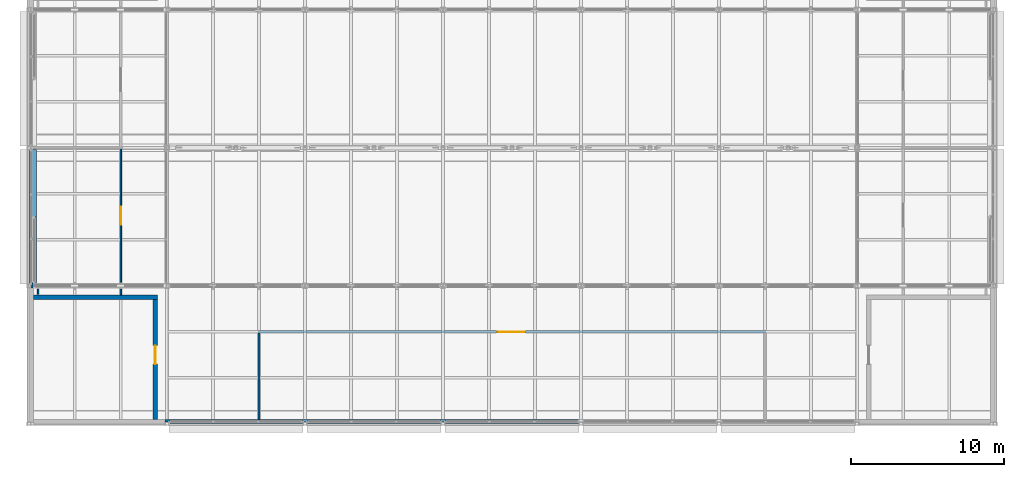
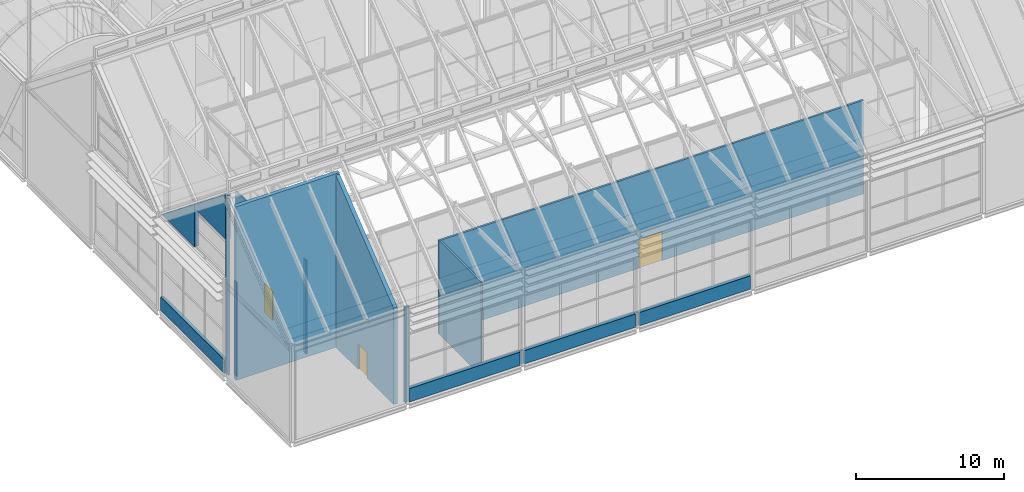
# One storey, part 124 of 144: 17 walls, 3 doors, 3 openings.
"""IFC4 building model written with IfcOpenShell, lengths in metres."""

from ifc_helpers import new_model, si_unit, direction, frame, frame_2d, origin, place, context, subcontext, project, spatial, polyline, rectangle, outline, extrude, material, layer, layer_set, type_object, element, fill, save


model = new_model("IFC4")

# Units and contexts
model_context = context("Model", 3, precision=1e-05, world=origin(), true_north=direction((0.0, 1.0)))
body_context = subcontext(model_context, "Body", "Model", "MODEL_VIEW")
ifc_project = project(units=[si_unit("LENGTHUNIT", "METRE"), si_unit("AREAUNIT", "SQUARE_METRE"), si_unit("VOLUMEUNIT", "CUBIC_METRE"), si_unit("PLANEANGLEUNIT", "RADIAN"), si_unit("MASSUNIT", "GRAM", prefix="KILO")], contexts=[model_context])

# Site, building, storey
site_placement = place(None, origin())
site = spatial("IfcSite", under=ifc_project, at=site_placement, CompositionType="ELEMENT")
building_placement = place(site_placement, origin())
building = spatial("IfcBuilding", under=site, at=building_placement, Name="Shorebreak Coast Museum", CompositionType="ELEMENT")
storey_placement = place(building_placement, frame((0.0, 0.0, 36.0)))
storey = spatial("IfcBuildingStorey", under=building, at=storey_placement, Name="L06", CompositionType="ELEMENT", Elevation=36.0)

# Walls
ifc_material_1 = material(Name="Concrete N50 (50 MPa)", Category="concrete")
ifc_layer_1 = layer(ifc_material_1, 0.14990234375)
ifc_layer_set_1 = layer_set([ifc_layer_1], Name="Concrete N50 (50 MPa)")
wall_type_1 = type_object("IfcWallType", Name="Column closure panel 150", PredefinedType="SOLIDWALL", material=ifc_layer_set_1)
wall_1_placement = place(storey_placement, frame((62.875, 54.199951171875, 0.0), z_axis=(0.0, 0.0, 1.0), x_axis=(1.0, 0.0, 0.0)))
element("IfcWall", 1, at=wall_1_placement, inside=storey, type_object=wall_type_1, Name="Column closure panel L06 S 8G", PredefinedType="SOLIDWALL", context=body_context, shape_type="SweptSolid", body=[
    extrude(rectangle(XDim=0.322021484375, YDim=0.14990234375, at=frame_2d((0.1611328125, 0.0))), origin(), (0.0, 0.0, 1.0), 7.864013671875),
])
for number, where, z_axis, x_axis, name in (
    (2, (71.839111328125, 54.199951171875, 0.0), (0.0, 0.0, 1.0), (1.0, 0.0, 0.0), "Column closure panel L06 S 9G"),
    (3, (80.839111328125, 54.199951171875, 0.0), (0.0, 0.0, 1.0), (1.0, 0.0, 0.0), "Column closure panel L06 S 10G"),
):
    element("IfcWall", number, at=place(storey_placement, frame(where, z_axis=z_axis, x_axis=x_axis)), inside=storey, type_object=wall_type_1, Name=name, PredefinedType="SOLIDWALL", context=body_context, shape_type="SweptSolid", body=[
        extrude(rectangle(XDim=0.32177734375, YDim=0.14990234375, at=frame_2d((0.160888671875, 0.0))), origin(), (0.0, 0.0, 1.0), 1.10009765625),
    ])
wall_2_placement = place(storey_placement, frame((54.199951171875, 62.875, 0.0), z_axis=(0.0, 0.0, 1.0), x_axis=(0.0, 1.0, 0.0)))
element("IfcWall", 4, at=wall_2_placement, inside=storey, type_object=wall_type_1, Name="Column closure panel L06 W 7H", PredefinedType="SOLIDWALL", context=body_context, shape_type="SweptSolid", body=[
    extrude(rectangle(XDim=0.322021484375, YDim=0.14990234375, at=frame_2d((0.1611328125, 0.0))), origin(), (0.0, 0.0, 1.0), 14.843994140625),
])

# Wall, opening, door
ifc_material_2 = material(Name="Plasterboard on steel stud", Category="steel")
ifc_layer_2 = layer(ifc_material_2, 0.14990234375)
ifc_layer_set_2 = layer_set([ifc_layer_2], Name="Plasterboard on steel stud")
wall_type_2 = type_object("IfcWallType", Name="Fire partition 150", PredefinedType="PARTITIONING", material=ifc_layer_set_2)
wall_3_placement = place(storey_placement, frame((68.925048828125, 60.0, 0.0), z_axis=(0.0, 0.0, 1.0), x_axis=(1.0, 0.0, 0.0)))
wall_3 = element("IfcWall", 5, at=wall_3_placement, inside=storey, type_object=wall_type_2, Name="Partition L06-001", PredefinedType="PARTITIONING", context=body_context, shape_type="SweptSolid", body=[
    extrude(rectangle(XDim=33.14990234375, YDim=0.14990234375, at=frame_2d((16.574951171875, 0.0))), origin(), (0.0, 0.0, 1.0), 7.743896484375),
])
opening_1_placement = place(wall_3_placement, frame((15.625, 0.0, 0.0)))
opening_1 = element("IfcOpeningElement", 6, at=opening_1_placement, cuts=wall_3, Name="Opening D6003", PredefinedType="OPENING", context=body_context, shape_type="SweptSolid", body=[
    extrude(rectangle(XDim=1.800048828125, YDim=2.39990234375, at=frame_2d((0.89990234375, 1.199951171875))), frame((0.0, 0.0849609375, 0.0), z_axis=(0.0, -1.0, 0.0), x_axis=(1.0, 0.0, 0.0)), (0.0, 0.0, 1.0), 0.169921875),
])
ifc_material_3 = material(Name="Steel", Category="steel")
door_type_1 = type_object("IfcDoorType", Name="Fire door 1800x2400 60", OperationType="DOUBLE_DOOR_SINGLE_SWING", PredefinedType="DOOR", material=ifc_material_3)
door_1_placement = place(opening_1_placement, origin())
door_1 = element("IfcDoor", 7, at=door_1_placement, inside=storey, type_object=door_type_1, Name="Door D6003 Top-lit Gallery 6.01", OperationType="DOUBLE_DOOR_SINGLE_SWING", OverallHeight=2.39990234375, OverallWidth=1.800048828125, PredefinedType="DOOR", context=body_context, shape_type="SweptSolid", body=[
    extrude(rectangle(XDim=1.800048828125, YDim=2.39990234375, at=frame_2d((0.89990234375, 1.199951171875))), frame((0.0, 0.02490234375, 0.0), z_axis=(0.0, -1.0, 0.0), x_axis=(1.0, 0.0, 0.0)), (0.0, 0.0, 1.0), 0.050048828125),
])
fill(opening_1, door_1)

# Walls
wall_4_placement = place(storey_placement, frame((69.0, 54.300048828125, 0.0), z_axis=(0.0, 0.0, 1.0), x_axis=(0.0, 1.0, 0.0)))
element("IfcWall", 8, at=wall_4_placement, inside=storey, type_object=wall_type_2, Name="Partition L06-064", PredefinedType="PARTITIONING", context=body_context, shape_type="SweptSolid", body=[
    extrude(rectangle(XDim=5.625, YDim=0.14990234375, at=frame_2d((2.8125, 0.0))), origin(), (0.0, 0.0, 1.0), 7.743896484375),
])
ifc_material_4 = material(Name="Concrete N50 (50 MPa)", Category="concrete")
ifc_layer_3 = layer(ifc_material_4, 0.35009765625)
ifc_layer_set_3 = layer_set([ifc_layer_3], Name="Concrete N50 (50 MPa)")
wall_type_3 = type_object("IfcWallType", Name="Gable crown panel 350", PredefinedType="SOLIDWALL", material=ifc_layer_set_3)
wall_5_placement = place(storey_placement, frame((54.33056640625, 63.197021484375, 11.0), z_axis=(0.0, 0.0, 1.0), x_axis=(0.0, 1.0, 0.0)))
element("IfcWall", 9, at=wall_5_placement, inside=storey, type_object=wall_type_3, Name="Gable crown apex FOLD-X-54-1", PredefinedType="SOLIDWALL", context=body_context, shape_type="SweptSolid", body=[
    extrude(outline(polyline([(0.0, 0.0), (4.302978515625, 0.0), (4.302978515625, 0.343994140625), (0.0, 3.786376953125), (0.0, 0.0)])), frame((0.0, 0.175048828125, 0.0), z_axis=(0.0, -1.0, 0.0), x_axis=(1.0, 0.0, 0.0)), (0.0, 0.0, 1.0), 0.35009765625),
])
wall_6_placement = place(storey_placement, frame((54.33056640625, 67.5, 7.800048828125), z_axis=(0.0, 0.0, 1.0), x_axis=(0.0, 1.0, 0.0)))
element("IfcWall", 10, at=wall_6_placement, inside=storey, type_object=wall_type_3, Name="Gable crown wedge FOLD-X-54-1 c", PredefinedType="SOLIDWALL", context=body_context, shape_type="SweptSolid", body=[
    extrude(outline(polyline([(0.0, 0.0), (4.375, 0.0), (4.375, 0.0439453125), (0.0, 3.5439453125), (0.0, 0.0)])), frame((0.0, 0.175048828125, 0.0), z_axis=(0.0, -1.0, 0.0), x_axis=(1.0, 0.0, 0.0)), (0.0, 0.0, 1.0), 0.35009765625),
])
ifc_material_5 = material(Name="Plasterboard on steel stud", Category="steel")
ifc_layer_4 = layer(ifc_material_5, 0.10009765625)
ifc_layer_set_4 = layer_set([ifc_layer_4], Name="Plasterboard on steel stud")
wall_type_4 = type_object("IfcWallType", Name="Partition 100", PredefinedType="PARTITIONING", material=ifc_layer_set_4)
wall_7_placement = place(storey_placement, frame((54.60009765625, 62.449951171875, 0.0), z_axis=(0.0, 0.0, 1.0), x_axis=(0.0, 1.0, 0.0)))
element("IfcWall", 11, at=wall_7_placement, inside=storey, type_object=wall_type_4, Name="Partition L06-051", PredefinedType="PARTITIONING", context=body_context, shape_type="SweptSolid", body=[
    extrude(rectangle(XDim=0.330078125, YDim=0.10009765625, at=frame_2d((0.1650390625, 0.0))), origin(), (0.0, 0.0, 1.0), 7.743896484375),
])
wall_8_placement = place(storey_placement, frame((60.0, 62.39990234375, 0.0), z_axis=(0.0, 0.0, 1.0), x_axis=(0.0, 1.0, 0.0)))
element("IfcWall", 12, at=wall_8_placement, inside=storey, type_object=wall_type_4, Name="Partition L06-055", PredefinedType="PARTITIONING", context=body_context, shape_type="SweptSolid", body=[
    extrude(rectangle(XDim=0.380126953125, YDim=0.10009765625, at=frame_2d((0.18994140625, 0.0))), origin(), (0.0, 0.0, 1.0), 7.743896484375),
])

# Wall, opening, door
wall_9_placement = place(storey_placement, frame((60.0, 63.219970703125, 0.0), z_axis=(0.0, 0.0, 1.0), x_axis=(0.0, 1.0, 0.0)))
wall_9 = element("IfcWall", 13, at=wall_9_placement, inside=storey, type_object=wall_type_4, Name="Partition L06-056", PredefinedType="PARTITIONING", context=body_context, shape_type="SweptSolid", body=[
    extrude(rectangle(XDim=8.72998046875, YDim=0.10009765625, at=frame_2d((4.364990234375, 0.0))), origin(), (0.0, 0.0, 1.0), 7.743896484375),
])
opening_2_placement = place(wall_9_placement, frame((3.75, 0.0, 0.0)))
opening_2 = element("IfcOpeningElement", 14, at=opening_2_placement, cuts=wall_9, Name="Opening D6004", PredefinedType="OPENING", context=body_context, shape_type="SweptSolid", body=[
    extrude(rectangle(XDim=1.199951171875, YDim=2.39990234375, at=frame_2d((0.60009765625, 1.199951171875))), frame((0.0, 0.06005859375, 0.0), z_axis=(0.0, -1.0, 0.0), x_axis=(1.0, 0.0, 0.0)), (0.0, 0.0, 1.0), 0.1201171875),
])
ifc_material_6 = material(Name="Timber", Category="wood")
door_type_2 = type_object("IfcDoorType", Name="Interior door 1200x2400", OperationType="SINGLE_SWING_LEFT", PredefinedType="DOOR", material=ifc_material_6)
door_2_placement = place(opening_2_placement, origin())
door_2 = element("IfcDoor", 15, at=door_2_placement, inside=storey, type_object=door_type_2, Name="Door D6004 Collection Study Office 6.01", OperationType="SINGLE_SWING_LEFT", OverallHeight=2.39990234375, OverallWidth=1.199951171875, PredefinedType="DOOR", context=body_context, shape_type="SweptSolid", body=[
    extrude(rectangle(XDim=1.199951171875, YDim=2.39990234375, at=frame_2d((0.60009765625, 1.199951171875))), frame((0.0, 0.02490234375, 0.0), z_axis=(0.0, -1.0, 0.0), x_axis=(1.0, 0.0, 0.0)), (0.0, 0.0, 1.0), 0.050048828125),
])
fill(opening_2, door_2)

# Walls
ifc_material_7 = material(Name="Concrete N50 (50 MPa)", Category="concrete")
ifc_layer_5 = layer(ifc_material_7, 0.25)
ifc_layer_set_5 = layer_set([ifc_layer_5], Name="Concrete N50 (50 MPa)")
wall_type_5 = type_object("IfcWallType", Name="Precast upper panel 250", PredefinedType="SOLIDWALL", material=ifc_layer_set_5)
wall_10_placement = place(storey_placement, frame((63.197021484375, 54.14990234375, 0.0), z_axis=(0.0, 0.0, 1.0), x_axis=(1.0, 0.0, 0.0)))
element("IfcWall", 16, at=wall_10_placement, inside=storey, type_object=wall_type_5, Name="External wall L06 S 8G", PredefinedType="SOLIDWALL", context=body_context, shape_type="SweptSolid", body=[
    extrude(rectangle(XDim=8.64208984375, YDim=0.25, at=frame_2d((4.321044921875, 0.0))), origin(), (0.0, 0.0, 1.0), 1.10009765625),
])
for number, where, z_axis, x_axis, name in (
    (17, (72.160888671875, 54.14990234375, 0.0), (0.0, 0.0, 1.0), (1.0, 0.0, 0.0), "External wall L06 S 9G"),
    (18, (81.160888671875, 54.14990234375, 0.0), (0.0, 0.0, 1.0), (1.0, 0.0, 0.0), "External wall L06 S 10G"),
):
    element("IfcWall", number, at=place(storey_placement, frame(where, z_axis=z_axis, x_axis=x_axis)), inside=storey, type_object=wall_type_5, Name=name, PredefinedType="SOLIDWALL", context=body_context, shape_type="SweptSolid", body=[
        extrude(rectangle(XDim=8.67822265625, YDim=0.25, at=frame_2d((4.339111328125, 0.0))), origin(), (0.0, 0.0, 1.0), 1.10009765625),
    ])
wall_11_placement = place(storey_placement, frame((54.14990234375, 63.197021484375, 0.0), z_axis=(0.0, 0.0, 1.0), x_axis=(0.0, 1.0, 0.0)))
element("IfcWall", 19, at=wall_11_placement, inside=storey, type_object=wall_type_5, Name="External wall L06 W 7H", PredefinedType="SOLIDWALL", context=body_context, shape_type="SweptSolid", body=[
    extrude(rectangle(XDim=8.64208984375, YDim=0.25, at=frame_2d((4.321044921875, 0.0))), origin(), (0.0, 0.0, 1.0), 1.10009765625),
])
ifc_material_8 = material(Name="Concrete N50 (50 MPa)", Category="concrete")
ifc_layer_6 = layer(ifc_material_8, 0.300048828125)
ifc_layer_set_6 = layer_set([ifc_layer_6], Name="Concrete N50 (50 MPa)")
wall_type_6 = type_object("IfcWallType", Name="RC wall 300", PredefinedType="SHEAR", material=ifc_layer_set_6)
wall_12_placement = place(storey_placement, frame((54.300048828125, 62.25, 0.0), z_axis=(0.0, 0.0, 1.0), x_axis=(1.0, 0.0, 0.0)))
element("IfcWall", 20, at=wall_12_placement, inside=storey, type_object=wall_type_6, Name="Stair core wall ST01 L06 N", PredefinedType="SHEAR", context=body_context, shape_type="SweptSolid", body=[
    extrude(rectangle(XDim=8.099853515625, YDim=0.300048828125, at=frame_2d((4.0498046875, 0.0))), origin(), (0.0, 0.0, 1.0), 14.343994140625),
])

# Wall, opening, door
wall_13_placement = place(storey_placement, frame((62.25, 54.300048828125, 0.0), z_axis=(0.0, 0.0, 1.0), x_axis=(0.0, 1.0, 0.0)))
wall_13 = element("IfcWall", 21, at=wall_13_placement, inside=storey, type_object=wall_type_6, Name="Stair core wall ST01 L06 E", PredefinedType="SHEAR", context=body_context, shape_type="SweptSolid", body=[
    extrude(outline(polyline([(0.0, 0.0), (7.800048828125, 0.0), (7.800048828125, 14.223876953125), (0.0, 7.98388671875), (0.0, 0.0)])), frame((0.0, 0.14990234375, 0.0), z_axis=(0.0, -1.0, 0.0), x_axis=(1.0, 0.0, 0.0)), (0.0, 0.0, 1.0), 0.300048828125),
])
opening_3_placement = place(wall_13_placement, frame((3.60009765625, 0.0, 0.0)))
opening_3 = element("IfcOpeningElement", 22, at=opening_3_placement, cuts=wall_13, Name="Opening D6801", PredefinedType="OPENING", context=body_context, shape_type="SweptSolid", body=[
    extrude(rectangle(XDim=1.199951171875, YDim=2.10009765625, at=frame_2d((0.60009765625, 1.050048828125))), frame((0.0, 0.159912109375, 0.0), z_axis=(0.0, -1.0, 0.0), x_axis=(1.0, 0.0, 0.0)), (0.0, 0.0, 1.0), 0.320068359375),
])
ifc_material_9 = material(Name="Steel Grade 300", Category="steel")
door_type_3 = type_object("IfcDoorType", Name="Fire door 1200x2100", OperationType="SINGLE_SWING_LEFT", PredefinedType="DOOR", material=ifc_material_9)
door_3_placement = place(opening_3_placement, origin())
door_3 = element("IfcDoor", 23, at=door_3_placement, inside=storey, type_object=door_type_3, Name="Stair door ST01 L06", OperationType="SINGLE_SWING_LEFT", OverallHeight=2.10009765625, OverallWidth=1.199951171875, PredefinedType="DOOR", context=body_context, shape_type="SweptSolid", body=[
    extrude(rectangle(XDim=1.199951171875, YDim=2.10009765625, at=frame_2d((0.60009765625, 1.050048828125))), frame((0.0, 0.02490234375, 0.0), z_axis=(0.0, -1.0, 0.0), x_axis=(1.0, 0.0, 0.0)), (0.0, 0.0, 1.0), 0.050048828125),
])
fill(opening_3, door_3)

save(model, "model.ifc")
